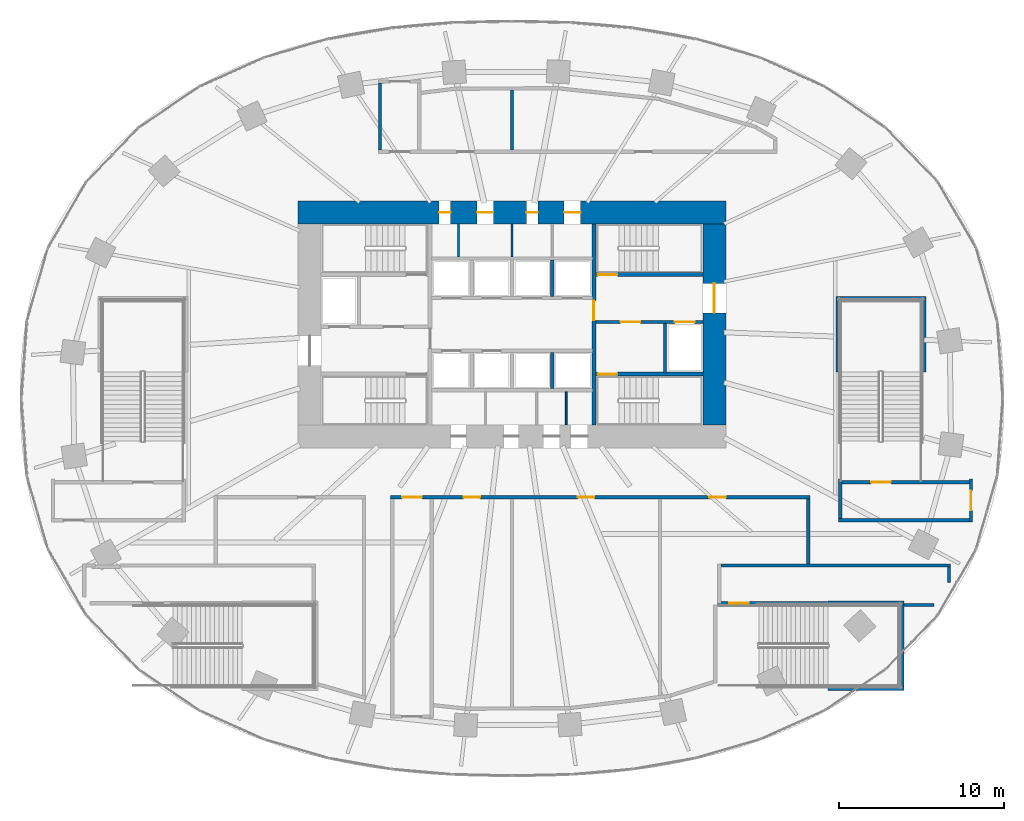
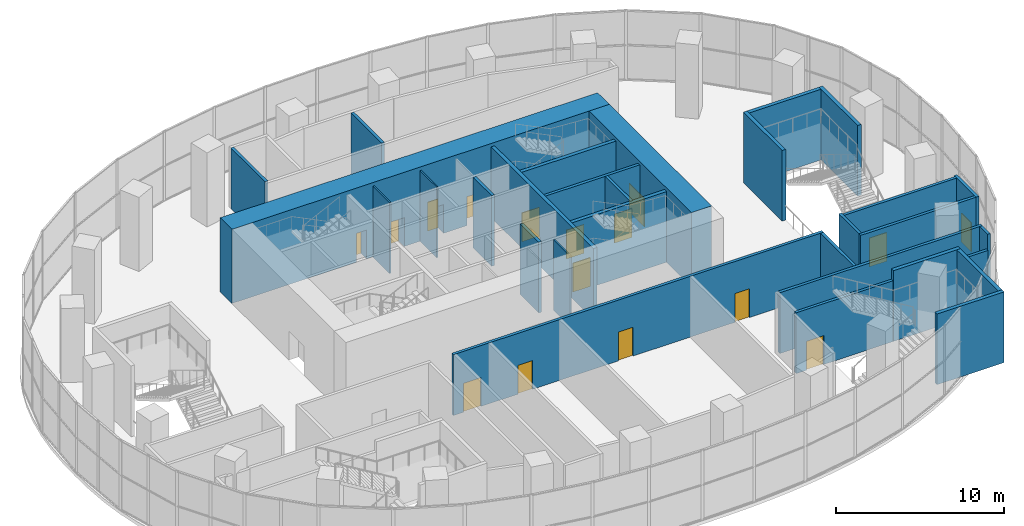
# One storey, part 13 of 20: 30 walls, 17 doors, 17 openings.
"""IFC4 building model written with IfcOpenShell, lengths in metres."""

from ifc_helpers import new_model, si_unit, direction, frame, frame_2d, origin, place, context, subcontext, project, spatial, rectangle, extrude, material, layer, layer_set, type_object, element, fill, save


model = new_model("IFC4")

# Units and contexts
model_context = context("Model", 3, precision=1e-05, world=origin(), true_north=direction((0.0, 1.0)))
body_context = subcontext(model_context, "Body", "Model", "MODEL_VIEW")
ifc_project = project(units=[si_unit("LENGTHUNIT", "METRE"), si_unit("AREAUNIT", "SQUARE_METRE"), si_unit("VOLUMEUNIT", "CUBIC_METRE"), si_unit("PLANEANGLEUNIT", "RADIAN"), si_unit("MASSUNIT", "GRAM", prefix="KILO")], contexts=[model_context])

# Site, building, storey
site_placement = place(None, origin())
site = spatial("IfcSite", under=ifc_project, at=site_placement, CompositionType="ELEMENT")
building_placement = place(site_placement, origin())
building = spatial("IfcBuilding", under=site, at=building_placement, Name="Rubra Terraces Tower", CompositionType="ELEMENT")
storey_placement = place(building_placement, frame((0.0, 0.0, 22.800048828125)))
storey = spatial("IfcBuildingStorey", under=building, at=storey_placement, Name="L03", CompositionType="ELEMENT", Elevation=22.800048828125)

# Wall, openings, doors
ifc_material_1 = material(Name="Concrete C70", Category="concrete")
ifc_layer_1 = layer(ifc_material_1, 1.39990234375)
ifc_layer_set_1 = layer_set([ifc_layer_1], Name="Concrete C70")
wall_type_1 = type_object("IfcWallType", Name="CORE WALL 1400 C70", PredefinedType="SHEAR", material=ifc_layer_set_1)
wall_1_placement = place(storey_placement, frame((-13.0, 11.300048828125, 0.0), z_axis=(0.0, 0.0, 1.0), x_axis=(1.0, 0.0, 0.0)))
wall_1 = element("IfcWall", 1, at=wall_1_placement, inside=storey, type_object=wall_type_1, Name="CORE WALL N L03", PredefinedType="SHEAR", context=body_context, shape_type="SweptSolid", body=[
    extrude(rectangle(XDim=26.0, YDim=1.39990234375, at=frame_2d((13.0, 0.0))), origin(), (0.0, 0.0, 1.0), 5.39990234375),
])
opening_1_placement = place(wall_1_placement, frame((8.574951171875, 0.0, 0.0)))
opening_1 = element("IfcOpeningElement", 2, at=opening_1_placement, cuts=wall_1, Name="Opening L03.C23", PredefinedType="OPENING", context=body_context, shape_type="SweptSolid", body=[
    extrude(rectangle(XDim=0.699951171875, YDim=2.10009765625, at=frame_2d((0.35009765625, 1.050048828125))), frame((0.0, 0.7099609375, 0.0), z_axis=(0.0, -1.0, 0.0), x_axis=(1.0, 0.0, 0.0)), (0.0, 0.0, 1.0), 1.419921875),
])
opening_2_placement = place(wall_1_placement, frame((10.875, 0.0, 0.0)))
opening_2 = element("IfcOpeningElement", 3, at=opening_2_placement, cuts=wall_1, Name="Opening L03.C24", PredefinedType="OPENING", context=body_context, shape_type="SweptSolid", body=[
    extrude(rectangle(XDim=1.0, YDim=2.10009765625, at=frame_2d((0.5, 1.050048828125))), frame((0.0, 0.7099609375, 0.0), z_axis=(0.0, -1.0, 0.0), x_axis=(1.0, 0.0, 0.0)), (0.0, 0.0, 1.0), 1.419921875),
])
opening_3_placement = place(wall_1_placement, frame((13.875, 0.0, 0.0)))
opening_3 = element("IfcOpeningElement", 4, at=opening_3_placement, cuts=wall_1, Name="Opening L03.C25", PredefinedType="OPENING", context=body_context, shape_type="SweptSolid", body=[
    extrude(rectangle(XDim=0.699951171875, YDim=2.10009765625, at=frame_2d((0.35009765625, 1.050048828125))), frame((0.0, 0.7099609375, 0.0), z_axis=(0.0, -1.0, 0.0), x_axis=(1.0, 0.0, 0.0)), (0.0, 0.0, 1.0), 1.419921875),
])
opening_4_placement = place(wall_1_placement, frame((16.175048828125, 0.0, 0.0)))
opening_4 = element("IfcOpeningElement", 5, at=opening_4_placement, cuts=wall_1, Name="Opening L03.C26", PredefinedType="OPENING", context=body_context, shape_type="SweptSolid", body=[
    extrude(rectangle(XDim=1.0, YDim=2.10009765625, at=frame_2d((0.5, 1.050048828125))), frame((0.0, 0.7099609375, 0.0), z_axis=(0.0, -1.0, 0.0), x_axis=(1.0, 0.0, 0.0)), (0.0, 0.0, 1.0), 1.419921875),
])
ifc_material_2 = material(Name="Painted steel", Category="steel")
door_type_1 = type_object("IfcDoorType", Name="Fire door 1000x2100 single", OperationType="NOTDEFINED", PredefinedType="DOOR", material=ifc_material_2)
door_1_placement = place(opening_2_placement, origin())
door_1 = element("IfcDoor", 6, at=door_1_placement, inside=storey, type_object=door_type_1, Name="Guest pantry door", OperationType="SINGLE_SWING_RIGHT", OverallHeight=2.10009765625, OverallWidth=1.0, PredefinedType="DOOR", context=body_context, shape_type="SweptSolid", body=[
    extrude(rectangle(XDim=1.0, YDim=2.10009765625, at=frame_2d((0.5, 1.050048828125))), frame((0.0, 0.02490234375, 0.0), z_axis=(0.0, -1.0, 0.0), x_axis=(1.0, 0.0, 0.0)), (0.0, 0.0, 1.0), 0.050048828125),
])
fill(opening_2, door_1)
door_2_placement = place(opening_4_placement, origin())
door_2 = element("IfcDoor", 7, at=door_2_placement, inside=storey, type_object=door_type_1, Name="General store door", OperationType="SINGLE_SWING_RIGHT", OverallHeight=2.10009765625, OverallWidth=1.0, PredefinedType="DOOR", context=body_context, shape_type="SweptSolid", body=[
    extrude(rectangle(XDim=1.0, YDim=2.10009765625, at=frame_2d((0.5, 1.050048828125))), frame((0.0, 0.02490234375, 0.0), z_axis=(0.0, -1.0, 0.0), x_axis=(1.0, 0.0, 0.0)), (0.0, 0.0, 1.0), 0.050048828125),
])
fill(opening_4, door_2)
door_type_2 = type_object("IfcDoorType", Name="Riser access door 700x2100 single", OperationType="NOTDEFINED", PredefinedType="DOOR", material=ifc_material_2)
door_3_placement = place(opening_1_placement, origin())
door_3 = element("IfcDoor", 8, at=door_3_placement, inside=storey, type_object=door_type_2, Name="Electrical riser room door", OperationType="SINGLE_SWING_LEFT", OverallHeight=2.10009765625, OverallWidth=0.699951171875, PredefinedType="DOOR", context=body_context, shape_type="SweptSolid", body=[
    extrude(rectangle(XDim=0.699951171875, YDim=2.10009765625, at=frame_2d((0.35009765625, 1.050048828125))), frame((0.0, 0.02490234375, 0.0), z_axis=(0.0, -1.0, 0.0), x_axis=(1.0, 0.0, 0.0)), (0.0, 0.0, 1.0), 0.050048828125),
])
fill(opening_1, door_3)
door_4_placement = place(opening_3_placement, origin())
door_4 = element("IfcDoor", 9, at=door_4_placement, inside=storey, type_object=door_type_2, Name="Telecoms room door", OperationType="SINGLE_SWING_LEFT", OverallHeight=2.10009765625, OverallWidth=0.699951171875, PredefinedType="DOOR", context=body_context, shape_type="SweptSolid", body=[
    extrude(rectangle(XDim=0.699951171875, YDim=2.10009765625, at=frame_2d((0.35009765625, 1.050048828125))), frame((0.0, 0.02490234375, 0.0), z_axis=(0.0, -1.0, 0.0), x_axis=(1.0, 0.0, 0.0)), (0.0, 0.0, 1.0), 0.050048828125),
])
fill(opening_3, door_4)

# Wall, opening, door
wall_2_placement = place(storey_placement, frame((12.300048828125, -1.60009765625, 0.0), z_axis=(0.0, 0.0, 1.0), x_axis=(0.0, 1.0, 0.0)))
wall_2 = element("IfcWall", 10, at=wall_2_placement, inside=storey, type_object=wall_type_1, Name="CORE WALL E L03", PredefinedType="SHEAR", context=body_context, shape_type="SweptSolid", body=[
    extrude(rectangle(XDim=12.2001953125, YDim=1.39990234375, at=frame_2d((6.10009765625, 0.0))), origin(), (0.0, 0.0, 1.0), 5.39990234375),
])
opening_5_placement = place(wall_2_placement, frame((6.800048828125, 0.0, 0.0)))
opening_5 = element("IfcOpeningElement", 11, at=opening_5_placement, cuts=wall_2, Name="Opening L03.C02", PredefinedType="OPENING", context=body_context, shape_type="SweptSolid", body=[
    extrude(rectangle(XDim=1.800048828125, YDim=2.10009765625, at=frame_2d((0.89990234375, 1.050048828125))), frame((0.0, 0.7099609375, 0.0), z_axis=(0.0, -1.0, 0.0), x_axis=(1.0, 0.0, 0.0)), (0.0, 0.0, 1.0), 1.419921875),
])
door_type_3 = type_object("IfcDoorType", Name="Fire door 1800x2100 double", OperationType="NOTDEFINED", PredefinedType="DOOR", material=ifc_material_2)
door_5_placement = place(opening_5_placement, origin())
door_5 = element("IfcDoor", 12, at=door_5_placement, inside=storey, type_object=door_type_3, Name="Core entrance door FF2", OperationType="DOUBLE_DOOR_SINGLE_SWING", OverallHeight=2.10009765625, OverallWidth=1.800048828125, PredefinedType="DOOR", context=body_context, shape_type="SweptSolid", body=[
    extrude(rectangle(XDim=1.800048828125, YDim=2.10009765625, at=frame_2d((0.89990234375, 1.050048828125))), frame((0.0, 0.02490234375, 0.0), z_axis=(0.0, -1.0, 0.0), x_axis=(1.0, 0.0, 0.0)), (0.0, 0.0, 1.0), 0.050048828125),
])
fill(opening_5, door_5)

# Wall, openings, doors
ifc_material_3 = material(Name="Concrete C30", Category="concrete")
ifc_layer_2 = layer(ifc_material_3, 0.199951171875)
ifc_layer_set_2 = layer_set([ifc_layer_2], Name="Concrete C30")
wall_type_2 = type_object("IfcWallType", Name="Core wall 200 concrete", PredefinedType="SOLIDWALL", material=ifc_layer_set_2)
wall_3_placement = place(storey_placement, frame((11.60009765625, 4.64990234375, 0.0), z_axis=(0.0, 0.0, 1.0), x_axis=(-1.0, 0.0, 0.0)))
wall_3 = element("IfcWall", 13, at=wall_3_placement, inside=storey, type_object=wall_type_2, Name="STAIR WALL L03", PredefinedType="SOLIDWALL", context=body_context, shape_type="SweptSolid", body=[
    extrude(rectangle(XDim=6.5, YDim=0.199951171875, at=frame_2d((3.25, 0.0))), origin(), (0.0, 0.0, 1.0), 5.14990234375),
])
opening_6_placement = place(wall_3_placement, frame((3.800048828125, 0.0, 0.0)))
opening_6 = element("IfcOpeningElement", 14, at=opening_6_placement, cuts=wall_3, Name="Opening L03.C06", PredefinedType="OPENING", context=body_context, shape_type="SweptSolid", body=[
    extrude(rectangle(XDim=1.199951171875, YDim=2.10009765625, at=frame_2d((0.60009765625, 1.050048828125))), frame((0.0, 0.10986328125, 0.0), z_axis=(0.0, -1.0, 0.0), x_axis=(1.0, 0.0, 0.0)), (0.0, 0.0, 1.0), 0.219970703125),
])
opening_7_placement = place(wall_3_placement, frame((0.5, 0.0, 0.0)))
opening_7 = element("IfcOpeningElement", 15, at=opening_7_placement, cuts=wall_3, Name="Opening L03.C12", PredefinedType="OPENING", context=body_context, shape_type="SweptSolid", body=[
    extrude(rectangle(XDim=1.199951171875, YDim=2.10009765625, at=frame_2d((0.60009765625, 1.050048828125))), frame((0.0, 0.10986328125, 0.0), z_axis=(0.0, -1.0, 0.0), x_axis=(1.0, 0.0, 0.0)), (0.0, 0.0, 1.0), 0.219970703125),
])
door_type_4 = type_object("IfcDoorType", Name="Fire door 1200x2100 single", OperationType="NOTDEFINED", PredefinedType="DOOR", material=ifc_material_2)
door_6_placement = place(opening_6_placement, origin())
door_6 = element("IfcDoor", 16, at=door_6_placement, inside=storey, type_object=door_type_4, Name="Stair vestibule door S4", OperationType="SINGLE_SWING_RIGHT", OverallHeight=2.10009765625, OverallWidth=1.199951171875, PredefinedType="DOOR", context=body_context, shape_type="SweptSolid", body=[
    extrude(rectangle(XDim=1.199951171875, YDim=2.10009765625, at=frame_2d((0.60009765625, 1.050048828125))), frame((0.0, 0.02490234375, 0.0), z_axis=(0.0, -1.0, 0.0), x_axis=(1.0, 0.0, 0.0)), (0.0, 0.0, 1.0), 0.050048828125),
])
fill(opening_6, door_6)
ifc_material_4 = material(Name="Stainless steel", Category="steel")
door_type_5 = type_object("IfcDoorType", Name="Lift landing door 1200x2100", OperationType="NOTDEFINED", PredefinedType="DOOR", material=ifc_material_4)
door_7_placement = place(opening_7_placement, origin())
door_7 = element("IfcDoor", 17, at=door_7_placement, inside=storey, type_object=door_type_5, Name="Landing door FF2", OperationType="SLIDING_TO_RIGHT", OverallHeight=2.10009765625, OverallWidth=1.199951171875, PredefinedType="DOOR", context=body_context, shape_type="SweptSolid", body=[
    extrude(rectangle(XDim=1.199951171875, YDim=2.10009765625, at=frame_2d((0.60009765625, 1.050048828125))), frame((0.0, 0.02490234375, 0.0), z_axis=(0.0, -1.0, 0.0), x_axis=(1.0, 0.0, 0.0)), (0.0, 0.0, 1.0), 0.050048828125),
])
fill(opening_7, door_7)

# Walls
wall_4_placement = place(storey_placement, frame((9.300048828125, 4.550048828125, 0.0), z_axis=(0.0, 0.0, 1.0), x_axis=(0.0, -1.0, 0.0)))
element("IfcWall", 18, at=wall_4_placement, inside=storey, type_object=wall_type_2, Name="STAIR WALL L03", PredefinedType="SOLIDWALL", context=body_context, shape_type="SweptSolid", body=[
    extrude(rectangle(XDim=3.0, YDim=0.199951171875, at=frame_2d((1.5, 0.0))), origin(), (0.0, 0.0, 1.0), 5.14990234375),
])
for number, where, z_axis, x_axis, name in (
    (19, (2.449951171875, 0.60009765625, 0.0), (0.0, 0.0, 1.0), (0.0, 1.0, 0.0), "LIFT SHAFT WALL L03"),
    (20, (2.449951171875, 6.199951171875, 0.0), (0.0, 0.0, 1.0), (0.0, 1.0, 0.0), "LIFT SHAFT WALL L03"),
):
    element("IfcWall", number, at=place(storey_placement, frame(where, z_axis=z_axis, x_axis=x_axis)), inside=storey, type_object=wall_type_2, Name=name, PredefinedType="SOLIDWALL", context=body_context, shape_type="SweptSolid", body=[
        extrude(rectangle(XDim=2.199951171875, YDim=0.199951171875, at=frame_2d((1.10009765625, 0.0))), origin(), (0.0, 0.0, 1.0), 5.14990234375),
    ])

# Wall, opening, door
ifc_material_5 = material(Name="Blockwork", Category="masonry")
ifc_layer_3 = layer(ifc_material_5, 0.199951171875)
ifc_layer_set_3 = layer_set([ifc_layer_3], Name="Blockwork")
wall_type_3 = type_object("IfcWallType", Name="Corridor partition 200 blockwork", PredefinedType="PARTITIONING", material=ifc_layer_set_3)
wall_5_placement = place(storey_placement, frame((27.89990234375, -4.89990234375, 0.0), z_axis=(0.0, 0.0, 1.0), x_axis=(0.0, -1.0, 0.0)))
wall_5 = element("IfcWall", 21, at=wall_5_placement, inside=storey, type_object=wall_type_3, Name="Partition wall", PredefinedType="PARTITIONING", context=body_context, shape_type="SweptSolid", body=[
    extrude(rectangle(XDim=2.60009765625, YDim=0.199951171875, at=frame_2d((1.300048828125, 0.0))), origin(), (0.0, 0.0, 1.0), 4.429931640625),
])
opening_8_placement = place(wall_5_placement, frame((0.699951171875, 0.0, 0.0)))
opening_8 = element("IfcOpeningElement", 22, at=opening_8_placement, cuts=wall_5, Name="Opening DB7", PredefinedType="OPENING", context=body_context, shape_type="SweptSolid", body=[
    extrude(rectangle(XDim=1.199951171875, YDim=2.10009765625, at=frame_2d((0.60009765625, 1.050048828125))), frame((0.0, 0.10986328125, 0.0), z_axis=(0.0, -1.0, 0.0), x_axis=(1.0, 0.0, 0.0)), (0.0, 0.0, 1.0), 0.219970703125),
])
ifc_material_6 = material(Name="Painted timber", Category="wood")
door_type_6 = type_object("IfcDoorType", Name="Door 1200x2100 single", OperationType="NOTDEFINED", PredefinedType="DOOR", material=ifc_material_6)
door_8_placement = place(opening_8_placement, origin())
door_8 = element("IfcDoor", 23, at=door_8_placement, inside=storey, type_object=door_type_6, Name="Door L03-08", OperationType="SINGLE_SWING_LEFT", OverallHeight=2.10009765625, OverallWidth=1.199951171875, PredefinedType="DOOR", context=body_context, shape_type="SweptSolid", body=[
    extrude(rectangle(XDim=1.199951171875, YDim=2.10009765625, at=frame_2d((0.60009765625, 1.050048828125))), frame((0.0, 0.02490234375, 0.0), z_axis=(0.0, -1.0, 0.0), x_axis=(1.0, 0.0, 0.0)), (0.0, 0.0, 1.0), 0.050048828125),
])
fill(opening_8, door_8)

# Walls
wall_6_placement = place(storey_placement, frame((27.800048828125, -7.39990234375, 0.0), z_axis=(0.0, 0.0, 1.0), x_axis=(-1.0, 0.0, 0.0)))
element("IfcWall", 24, at=wall_6_placement, inside=storey, type_object=wall_type_3, Name="Partition wall", PredefinedType="PARTITIONING", context=body_context, shape_type="SweptSolid", body=[
    extrude(rectangle(XDim=7.949951171875, YDim=0.199951171875, at=frame_2d((3.97509765625, 0.0))), origin(), (0.0, 0.0, 1.0), 4.429931640625),
])
wall_7_placement = place(storey_placement, frame((19.949951171875, -7.300048828125, 0.0), z_axis=(0.0, 0.0, 1.0), x_axis=(0.0, 1.0, 0.0)))
element("IfcWall", 25, at=wall_7_placement, inside=storey, type_object=wall_type_3, Name="Partition wall", PredefinedType="PARTITIONING", context=body_context, shape_type="SweptSolid", body=[
    extrude(rectangle(XDim=2.400146484375, YDim=0.199951171875, at=frame_2d((1.2001953125, 0.0))), origin(), (0.0, 0.0, 1.0), 4.429931640625),
])

# Wall, opening, door
wall_8_placement = place(storey_placement, frame((20.050048828125, -5.10009765625, 0.0), z_axis=(0.0, 0.0, 1.0), x_axis=(1.0, 0.0, 0.0)))
wall_8 = element("IfcWall", 26, at=wall_8_placement, inside=storey, type_object=wall_type_3, Name="Partition wall", PredefinedType="PARTITIONING", context=body_context, shape_type="SweptSolid", body=[
    extrude(rectangle(XDim=7.75, YDim=0.199951171875, at=frame_2d((3.875, 0.0))), origin(), (0.0, 0.0, 1.0), 4.429931640625),
])
opening_9_placement = place(wall_8_placement, frame((1.77490234375, 0.0, 0.0)))
opening_9 = element("IfcOpeningElement", 27, at=opening_9_placement, cuts=wall_8, Name="Opening DB7", PredefinedType="OPENING", context=body_context, shape_type="SweptSolid", body=[
    extrude(rectangle(XDim=1.199951171875, YDim=2.10009765625, at=frame_2d((0.60009765625, 1.050048828125))), frame((0.0, 0.10986328125, 0.0), z_axis=(0.0, -1.0, 0.0), x_axis=(1.0, 0.0, 0.0)), (0.0, 0.0, 1.0), 0.219970703125),
])
door_9_placement = place(opening_9_placement, origin())
door_9 = element("IfcDoor", 28, at=door_9_placement, inside=storey, type_object=door_type_6, Name="Stair door L03-07", OperationType="SINGLE_SWING_LEFT", OverallHeight=2.10009765625, OverallWidth=1.199951171875, PredefinedType="DOOR", context=body_context, shape_type="SweptSolid", body=[
    extrude(rectangle(XDim=1.199951171875, YDim=2.10009765625, at=frame_2d((0.60009765625, 1.050048828125))), frame((0.0, 0.02490234375, 0.0), z_axis=(0.0, -1.0, 0.0), x_axis=(1.0, 0.0, 0.0)), (0.0, 0.0, 1.0), 0.050048828125),
])
fill(opening_9, door_9)

# Wall
wall_9_placement = place(storey_placement, frame((25.659912109375, -12.550048828125, 0.0), z_axis=(0.0, 0.0, 1.0), x_axis=(-1.0, 0.0, 0.0)))
element("IfcWall", 29, at=wall_9_placement, inside=storey, type_object=wall_type_3, Name="Partition wall", PredefinedType="PARTITIONING", context=body_context, shape_type="SweptSolid", body=[
    extrude(rectangle(XDim=1.829833984375, YDim=0.199951171875, at=frame_2d((0.9150390625, 0.0))), origin(), (0.0, 0.0, 1.0), 4.429931640625),
])

# Wall, opening, door
wall_10_placement = place(storey_placement, frame((19.179931640625, -12.449951171875, 0.0), z_axis=(0.0, 0.0, 1.0), x_axis=(-1.0, 0.0, 0.0)))
wall_10 = element("IfcWall", 30, at=wall_10_placement, inside=storey, type_object=wall_type_3, Name="Partition wall", PredefinedType="PARTITIONING", context=body_context, shape_type="SweptSolid", body=[
    extrude(rectangle(XDim=6.679931640625, YDim=0.199951171875, at=frame_2d((3.33984375, 0.0))), origin(), (0.0, 0.0, 1.0), 4.429931640625),
])
opening_10_placement = place(wall_10_placement, frame((4.780029296875, 0.0, 0.0)))
opening_10 = element("IfcOpeningElement", 31, at=opening_10_placement, cuts=wall_10, Name="Opening DB7", PredefinedType="OPENING", context=body_context, shape_type="SweptSolid", body=[
    extrude(rectangle(XDim=1.199951171875, YDim=2.10009765625, at=frame_2d((0.60009765625, 1.050048828125))), frame((0.0, 0.10986328125, 0.0), z_axis=(0.0, -1.0, 0.0), x_axis=(1.0, 0.0, 0.0)), (0.0, 0.0, 1.0), 0.219970703125),
])
door_10_placement = place(opening_10_placement, origin())
door_10 = element("IfcDoor", 32, at=door_10_placement, inside=storey, type_object=door_type_6, Name="Stair door L03-10", OperationType="SINGLE_SWING_LEFT", OverallHeight=2.10009765625, OverallWidth=1.199951171875, PredefinedType="DOOR", context=body_context, shape_type="SweptSolid", body=[
    extrude(rectangle(XDim=1.199951171875, YDim=2.10009765625, at=frame_2d((0.60009765625, 1.050048828125))), frame((0.0, 0.02490234375, 0.0), z_axis=(0.0, -1.0, 0.0), x_axis=(1.0, 0.0, 0.0)), (0.0, 0.0, 1.0), 0.050048828125),
])
fill(opening_10, door_10)

# Walls
wall_11_placement = place(storey_placement, frame((12.699951171875, -10.14990234375, 0.0), z_axis=(0.0, 0.0, 1.0), x_axis=(1.0, 0.0, 0.0)))
element("IfcWall", 33, at=wall_11_placement, inside=storey, type_object=wall_type_3, Name="Partition wall", PredefinedType="PARTITIONING", context=body_context, shape_type="SweptSolid", body=[
    extrude(rectangle(XDim=13.9599609375, YDim=0.199951171875, at=frame_2d((6.97998046875, 0.0))), origin(), (0.0, 0.0, 1.0), 4.429931640625),
])
wall_12_placement = place(storey_placement, frame((26.56005859375, -10.25, 0.0), z_axis=(0.0, 0.0, 1.0), x_axis=(0.0, -1.0, 0.0)))
element("IfcWall", 34, at=wall_12_placement, inside=storey, type_object=wall_type_3, Name="Partition wall", PredefinedType="PARTITIONING", context=body_context, shape_type="SweptSolid", body=[
    extrude(rectangle(XDim=0.93896484375, YDim=0.199951171875, at=frame_2d((0.469482421875, 0.0))), origin(), (0.0, 0.0, 1.0), 4.429931640625),
])
wall_13_placement = place(storey_placement, frame((-8.028076171875, 15.10009765625, 0.0), z_axis=(0.0, 0.0, 1.0), x_axis=(0.0, 1.0, 0.0)))
element("IfcWall", 35, at=wall_13_placement, inside=storey, type_object=wall_type_3, Name="Partition wall", PredefinedType="PARTITIONING", context=body_context, shape_type="SweptSolid", body=[
    extrude(rectangle(XDim=4.057861328125, YDim=0.199951171875, at=frame_2d((2.02880859375, 0.0))), origin(), (0.0, 0.0, 1.0), 4.429931640625),
])

# Wall, openings, doors
wall_14_placement = place(storey_placement, frame((-7.3779296875, -6.0, 0.0), z_axis=(0.0, 0.0, 1.0), x_axis=(1.0, 0.0, 0.0)))
wall_14 = element("IfcWall", 36, at=wall_14_placement, inside=storey, type_object=wall_type_3, Name="Partition wall", PredefinedType="PARTITIONING", context=body_context, shape_type="SweptSolid", body=[
    extrude(rectangle(XDim=25.47802734375, YDim=0.199951171875, at=frame_2d((12.739013671875, 0.0))), origin(), (0.0, 0.0, 1.0), 4.429931640625),
])
opening_11_placement = place(wall_14_placement, frame((0.699951171875, 0.0, 0.0)))
opening_11 = element("IfcOpeningElement", 37, at=opening_11_placement, cuts=wall_14, Name="Opening DB7", PredefinedType="OPENING", context=body_context, shape_type="SweptSolid", body=[
    extrude(rectangle(XDim=1.199951171875, YDim=2.10009765625, at=frame_2d((0.60009765625, 1.050048828125))), frame((0.0, 0.10986328125, 0.0), z_axis=(0.0, -1.0, 0.0), x_axis=(1.0, 0.0, 0.0)), (0.0, 0.0, 1.0), 0.219970703125),
])
opening_12_placement = place(wall_14_placement, frame((4.43896484375, 0.0, 0.0)))
opening_12 = element("IfcOpeningElement", 38, at=opening_12_placement, cuts=wall_14, Name="Opening DB1", PredefinedType="OPENING", context=body_context, shape_type="SweptSolid", body=[
    extrude(rectangle(XDim=1.0, YDim=2.10009765625, at=frame_2d((0.5, 1.050048828125))), frame((0.0, 0.10986328125, 0.0), z_axis=(0.0, -1.0, 0.0), x_axis=(1.0, 0.0, 0.0)), (0.0, 0.0, 1.0), 0.219970703125),
])
opening_13_placement = place(wall_14_placement, frame((11.3779296875, 0.0, 0.0)))
opening_13 = element("IfcOpeningElement", 39, at=opening_13_placement, cuts=wall_14, Name="Opening DB1", PredefinedType="OPENING", context=body_context, shape_type="SweptSolid", body=[
    extrude(rectangle(XDim=1.0, YDim=2.10009765625, at=frame_2d((0.5, 1.050048828125))), frame((0.0, 0.10986328125, 0.0), z_axis=(0.0, -1.0, 0.0), x_axis=(1.0, 0.0, 0.0)), (0.0, 0.0, 1.0), 0.219970703125),
])
opening_14_placement = place(wall_14_placement, frame((19.3779296875, 0.0, 0.0)))
opening_14 = element("IfcOpeningElement", 40, at=opening_14_placement, cuts=wall_14, Name="Opening DB1", PredefinedType="OPENING", context=body_context, shape_type="SweptSolid", body=[
    extrude(rectangle(XDim=1.0, YDim=2.10009765625, at=frame_2d((0.5, 1.050048828125))), frame((0.0, 0.10986328125, 0.0), z_axis=(0.0, -1.0, 0.0), x_axis=(1.0, 0.0, 0.0)), (0.0, 0.0, 1.0), 0.219970703125),
])
door_type_7 = type_object("IfcDoorType", Name="Door 1000x2100 single", OperationType="NOTDEFINED", PredefinedType="DOOR", material=ifc_material_6)
door_11_placement = place(opening_12_placement, origin())
door_11 = element("IfcDoor", 41, at=door_11_placement, inside=storey, type_object=door_type_7, Name="Door L03-12", OperationType="SINGLE_SWING_LEFT", OverallHeight=2.10009765625, OverallWidth=1.0, PredefinedType="DOOR", context=body_context, shape_type="SweptSolid", body=[
    extrude(rectangle(XDim=1.0, YDim=2.10009765625, at=frame_2d((0.5, 1.050048828125))), frame((0.0, 0.02490234375, 0.0), z_axis=(0.0, -1.0, 0.0), x_axis=(1.0, 0.0, 0.0)), (0.0, 0.0, 1.0), 0.050048828125),
])
fill(opening_12, door_11)
door_12_placement = place(opening_13_placement, origin())
door_12 = element("IfcDoor", 42, at=door_12_placement, inside=storey, type_object=door_type_7, Name="Door L03-13", OperationType="SINGLE_SWING_LEFT", OverallHeight=2.10009765625, OverallWidth=1.0, PredefinedType="DOOR", context=body_context, shape_type="SweptSolid", body=[
    extrude(rectangle(XDim=1.0, YDim=2.10009765625, at=frame_2d((0.5, 1.050048828125))), frame((0.0, 0.02490234375, 0.0), z_axis=(0.0, -1.0, 0.0), x_axis=(1.0, 0.0, 0.0)), (0.0, 0.0, 1.0), 0.050048828125),
])
fill(opening_13, door_12)
door_13_placement = place(opening_14_placement, origin())
door_13 = element("IfcDoor", 43, at=door_13_placement, inside=storey, type_object=door_type_7, Name="Door L03-14", OperationType="SINGLE_SWING_LEFT", OverallHeight=2.10009765625, OverallWidth=1.0, PredefinedType="DOOR", context=body_context, shape_type="SweptSolid", body=[
    extrude(rectangle(XDim=1.0, YDim=2.10009765625, at=frame_2d((0.5, 1.050048828125))), frame((0.0, 0.02490234375, 0.0), z_axis=(0.0, -1.0, 0.0), x_axis=(1.0, 0.0, 0.0)), (0.0, 0.0, 1.0), 0.050048828125),
])
fill(opening_14, door_13)
door_14_placement = place(opening_11_placement, origin())
door_14 = element("IfcDoor", 44, at=door_14_placement, inside=storey, type_object=door_type_6, Name="Door L03-03", OperationType="SINGLE_SWING_LEFT", OverallHeight=2.10009765625, OverallWidth=1.199951171875, PredefinedType="DOOR", context=body_context, shape_type="SweptSolid", body=[
    extrude(rectangle(XDim=1.199951171875, YDim=2.10009765625, at=frame_2d((0.60009765625, 1.050048828125))), frame((0.0, 0.02490234375, 0.0), z_axis=(0.0, -1.0, 0.0), x_axis=(1.0, 0.0, 0.0)), (0.0, 0.0, 1.0), 0.050048828125),
])
fill(opening_11, door_14)

# Walls
ifc_layer_4 = layer(ifc_material_5, 0.199951171875)
ifc_layer_set_4 = layer_set([ifc_layer_4], Name="Blockwork")
wall_type_4 = type_object("IfcWallType", Name="Room partition 200 blockwork", PredefinedType="PARTITIONING", material=ifc_layer_set_4)
wall_15_placement = place(storey_placement, frame((0.0, 18.740966796875, 0.0), z_axis=(0.0, 0.0, 1.0), x_axis=(0.0, -1.0, 0.0)))
element("IfcWall", 45, at=wall_15_placement, inside=storey, type_object=wall_type_4, Name="Partition wall", PredefinedType="PARTITIONING", context=body_context, shape_type="SweptSolid", body=[
    extrude(rectangle(XDim=3.640869140625, YDim=0.199951171875, at=frame_2d((1.8203125, 0.0))), origin(), (0.0, 0.0, 1.0), 4.429931640625),
])
wall_16_placement = place(storey_placement, frame((18.0, -6.10009765625, 0.0), z_axis=(0.0, 0.0, 1.0), x_axis=(0.0, -1.0, 0.0)))
element("IfcWall", 46, at=wall_16_placement, inside=storey, type_object=wall_type_4, Name="Partition wall", PredefinedType="PARTITIONING", context=body_context, shape_type="SweptSolid", body=[
    extrude(rectangle(XDim=3.949951171875, YDim=0.199951171875, at=frame_2d((1.97509765625, 0.0))), origin(), (0.0, 0.0, 1.0), 4.429931640625),
])
ifc_layer_5 = layer(ifc_material_5, 0.10009765625)
ifc_layer_set_5 = layer_set([ifc_layer_5], Name="Blockwork")
wall_type_5 = type_object("IfcWallType", Name="Service partition 100 blockwork", PredefinedType="PARTITIONING", material=ifc_layer_set_5)
for number, where, z_axis, x_axis, name in (
    (47, (3.300048828125, -1.60009765625, 0.0), (0.0, 0.0, 1.0), (0.0, 1.0, 0.0), "SERVICE ROOM PARTITION L03"),
    (48, (-3.25, 8.60009765625, 0.0), (0.0, 0.0, 1.0), (0.0, 1.0, 0.0), "SERVICE ROOM PARTITION L03"),
    (49, (0.0, 8.60009765625, 0.0), (0.0, 0.0, 1.0), (0.0, 1.0, 0.0), "SERVICE ROOM PARTITION L03"),
):
    element("IfcWall", number, at=place(storey_placement, frame(where, z_axis=z_axis, x_axis=x_axis)), inside=storey, type_object=wall_type_5, Name=name, PredefinedType="PARTITIONING", context=body_context, shape_type="SweptSolid", body=[
        extrude(rectangle(XDim=2.0, YDim=0.10009765625, at=frame_2d((1.0, 0.0))), origin(), (0.0, 0.0, 1.0), 5.14990234375),
    ])

# Wall, opening, door
ifc_material_7 = material(Name="Concrete C40", Category="concrete")
ifc_layer_6 = layer(ifc_material_7, 0.25)
ifc_layer_set_6 = layer_set([ifc_layer_6], Name="Concrete C40")
wall_type_6 = type_object("IfcWallType", Name="Stair enclosure wall 250 concrete", PredefinedType="SOLIDWALL", material=ifc_layer_set_6)
wall_17_placement = place(storey_placement, frame((11.60009765625, 7.52490234375, 0.0), z_axis=(0.0, 0.0, 1.0), x_axis=(-1.0, 0.0, 0.0)))
wall_17 = element("IfcWall", 50, at=wall_17_placement, inside=storey, type_object=wall_type_6, Name="STAIR WALL L03", PredefinedType="SOLIDWALL", context=body_context, shape_type="SweptSolid", body=[
    extrude(rectangle(XDim=6.5, YDim=0.25, at=frame_2d((3.25, 0.0))), origin(), (0.0, 0.0, 1.0), 5.14990234375),
])
opening_15_placement = place(wall_17_placement, frame((5.199951171875, 0.0, 0.0)))
opening_15 = element("IfcOpeningElement", 51, at=opening_15_placement, cuts=wall_17, Name="Opening L03.C08", PredefinedType="OPENING", context=body_context, shape_type="SweptSolid", body=[
    extrude(rectangle(XDim=1.199951171875, YDim=2.10009765625, at=frame_2d((0.60009765625, 1.050048828125))), frame((0.0, 0.135009765625, 0.0), z_axis=(0.0, -1.0, 0.0), x_axis=(1.0, 0.0, 0.0)), (0.0, 0.0, 1.0), 0.27001953125),
])
door_15_placement = place(opening_15_placement, origin())
door_15 = element("IfcDoor", 52, at=door_15_placement, inside=storey, type_object=door_type_4, Name="Stair door S3", OperationType="SINGLE_SWING_RIGHT", OverallHeight=2.10009765625, OverallWidth=1.199951171875, PredefinedType="DOOR", context=body_context, shape_type="SweptSolid", body=[
    extrude(rectangle(XDim=1.199951171875, YDim=2.10009765625, at=frame_2d((0.60009765625, 1.050048828125))), frame((0.0, 0.02490234375, 0.0), z_axis=(0.0, -1.0, 0.0), x_axis=(1.0, 0.0, 0.0)), (0.0, 0.0, 1.0), 0.050048828125),
])
fill(opening_15, door_15)

wall_18_placement = place(storey_placement, frame((11.60009765625, 1.47509765625, 0.0), z_axis=(0.0, 0.0, 1.0), x_axis=(-1.0, 0.0, 0.0)))
wall_18 = element("IfcWall", 53, at=wall_18_placement, inside=storey, type_object=wall_type_6, Name="STAIR WALL L03", PredefinedType="SOLIDWALL", context=body_context, shape_type="SweptSolid", body=[
    extrude(rectangle(XDim=6.5, YDim=0.25, at=frame_2d((3.25, 0.0))), origin(), (0.0, 0.0, 1.0), 5.14990234375),
])
opening_16_placement = place(wall_18_placement, frame((5.199951171875, 0.0, 0.0)))
opening_16 = element("IfcOpeningElement", 54, at=opening_16_placement, cuts=wall_18, Name="Opening L03.C10", PredefinedType="OPENING", context=body_context, shape_type="SweptSolid", body=[
    extrude(rectangle(XDim=1.199951171875, YDim=2.10009765625, at=frame_2d((0.60009765625, 1.050048828125))), frame((0.0, 0.135009765625, 0.0), z_axis=(0.0, -1.0, 0.0), x_axis=(1.0, 0.0, 0.0)), (0.0, 0.0, 1.0), 0.27001953125),
])
door_16_placement = place(opening_16_placement, origin())
door_16 = element("IfcDoor", 55, at=door_16_placement, inside=storey, type_object=door_type_4, Name="Stair door S4", OperationType="SINGLE_SWING_RIGHT", OverallHeight=2.10009765625, OverallWidth=1.199951171875, PredefinedType="DOOR", context=body_context, shape_type="SweptSolid", body=[
    extrude(rectangle(XDim=1.199951171875, YDim=2.10009765625, at=frame_2d((0.60009765625, 1.050048828125))), frame((0.0, 0.02490234375, 0.0), z_axis=(0.0, -1.0, 0.0), x_axis=(1.0, 0.0, 0.0)), (0.0, 0.0, 1.0), 0.050048828125),
])
fill(opening_16, door_16)

wall_19_placement = place(storey_placement, frame((4.97509765625, 10.60009765625, 0.0), z_axis=(0.0, 0.0, 1.0), x_axis=(0.0, -1.0, 0.0)))
wall_19 = element("IfcWall", 56, at=wall_19_placement, inside=storey, type_object=wall_type_6, Name="CORE LOBBY WALL L03", PredefinedType="SOLIDWALL", context=body_context, shape_type="SweptSolid", body=[
    extrude(rectangle(XDim=12.2001953125, YDim=0.25, at=frame_2d((6.10009765625, 0.0))), origin(), (0.0, 0.0, 1.0), 5.14990234375),
])
opening_17_placement = place(wall_19_placement, frame((4.64990234375, 0.0, 0.0)))
opening_17 = element("IfcOpeningElement", 57, at=opening_17_placement, cuts=wall_19, Name="Opening L03.C04", PredefinedType="OPENING", context=body_context, shape_type="SweptSolid", body=[
    extrude(rectangle(XDim=1.199951171875, YDim=2.10009765625, at=frame_2d((0.60009765625, 1.050048828125))), frame((0.0, 0.135009765625, 0.0), z_axis=(0.0, -1.0, 0.0), x_axis=(1.0, 0.0, 0.0)), (0.0, 0.0, 1.0), 0.27001953125),
])
door_17_placement = place(opening_17_placement, origin())
door_17 = element("IfcDoor", 58, at=door_17_placement, inside=storey, type_object=door_type_4, Name="Firefighting lobby door FF2", OperationType="SINGLE_SWING_RIGHT", OverallHeight=2.10009765625, OverallWidth=1.199951171875, PredefinedType="DOOR", context=body_context, shape_type="SweptSolid", body=[
    extrude(rectangle(XDim=1.199951171875, YDim=2.10009765625, at=frame_2d((0.60009765625, 1.050048828125))), frame((0.0, 0.02490234375, 0.0), z_axis=(0.0, -1.0, 0.0), x_axis=(1.0, 0.0, 0.0)), (0.0, 0.0, 1.0), 0.050048828125),
])
fill(opening_17, door_17)

# Walls
ifc_material_8 = material(Name="Concrete C40/50", Category="concrete")
ifc_layer_7 = layer(ifc_material_8, 0.25)
ifc_layer_set_7 = layer_set([ifc_layer_7], Name="Concrete C40/50")
wall_type_7 = type_object("IfcWallType", Name="Stair end wall 250 concrete", PredefinedType="SOLIDWALL", material=ifc_layer_set_7)
wall_20_placement = place(storey_placement, frame((24.89990234375, 6.0849609375, 0.0), z_axis=(0.0, 0.0, 1.0), x_axis=(-1.0, 0.0, 0.0)))
element("IfcWall", 59, at=wall_20_placement, inside=storey, type_object=wall_type_7, Name="Stair end wall", PredefinedType="SOLIDWALL", context=body_context, shape_type="SweptSolid", body=[
    extrude(rectangle(XDim=4.949951171875, YDim=0.25, at=frame_2d((2.47509765625, 0.0))), origin(), (0.0, 0.0, 1.0), 5.14990234375),
])
for number, where, z_axis, x_axis, name in (
    (60, (19.824951171875, 1.60009765625, 0.0), (0.0, 0.0, 1.0), (0.0, 1.0, 0.0), "Stair end wall"),
    (61, (25.02490234375, 1.60009765625, 0.0), (0.0, 0.0, 1.0), (0.0, 1.0, 0.0), "Stair end wall"),
):
    element("IfcWall", number, at=place(storey_placement, frame(where, z_axis=z_axis, x_axis=x_axis)), inside=storey, type_object=wall_type_7, Name=name, PredefinedType="SOLIDWALL", context=body_context, shape_type="SweptSolid", body=[
        extrude(rectangle(XDim=4.60986328125, YDim=0.25, at=frame_2d((2.304931640625, 0.0))), origin(), (0.0, 0.0, 1.0), 5.14990234375),
    ])
wall_21_placement = place(storey_placement, frame((23.68505859375, -17.5, 0.0), z_axis=(0.0, 0.0, 1.0), x_axis=(0.0, 1.0, 0.0)))
element("IfcWall", 62, at=wall_21_placement, inside=storey, type_object=wall_type_7, Name="Stair end wall", PredefinedType="SOLIDWALL", context=body_context, shape_type="SweptSolid", body=[
    extrude(rectangle(XDim=4.949951171875, YDim=0.25, at=frame_2d((2.47509765625, 0.0))), origin(), (0.0, 0.0, 1.0), 5.14990234375),
])
for number, where, z_axis, x_axis, name in (
    (63, (19.199951171875, -17.625, 0.0), (0.0, 0.0, 1.0), (1.0, 0.0, 0.0), "Stair end wall"),
    (64, (19.199951171875, -12.425048828125, 0.0), (0.0, 0.0, 1.0), (1.0, 0.0, 0.0), "Stair end wall"),
):
    element("IfcWall", number, at=place(storey_placement, frame(where, z_axis=z_axis, x_axis=x_axis)), inside=storey, type_object=wall_type_7, Name=name, PredefinedType="SOLIDWALL", context=body_context, shape_type="SweptSolid", body=[
        extrude(rectangle(XDim=4.610107421875, YDim=0.25, at=frame_2d((2.30517578125, 0.0))), origin(), (0.0, 0.0, 1.0), 5.14990234375),
    ])

save(model, "model.ifc")
